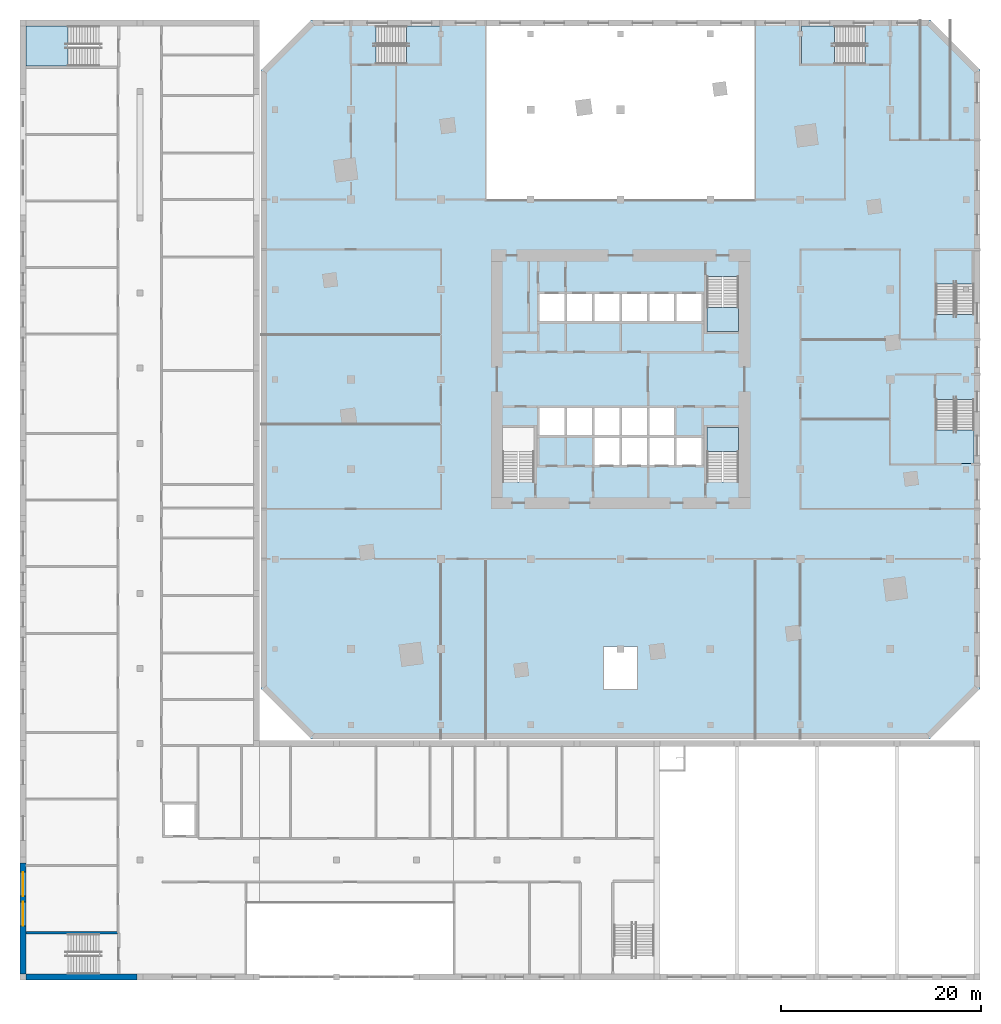
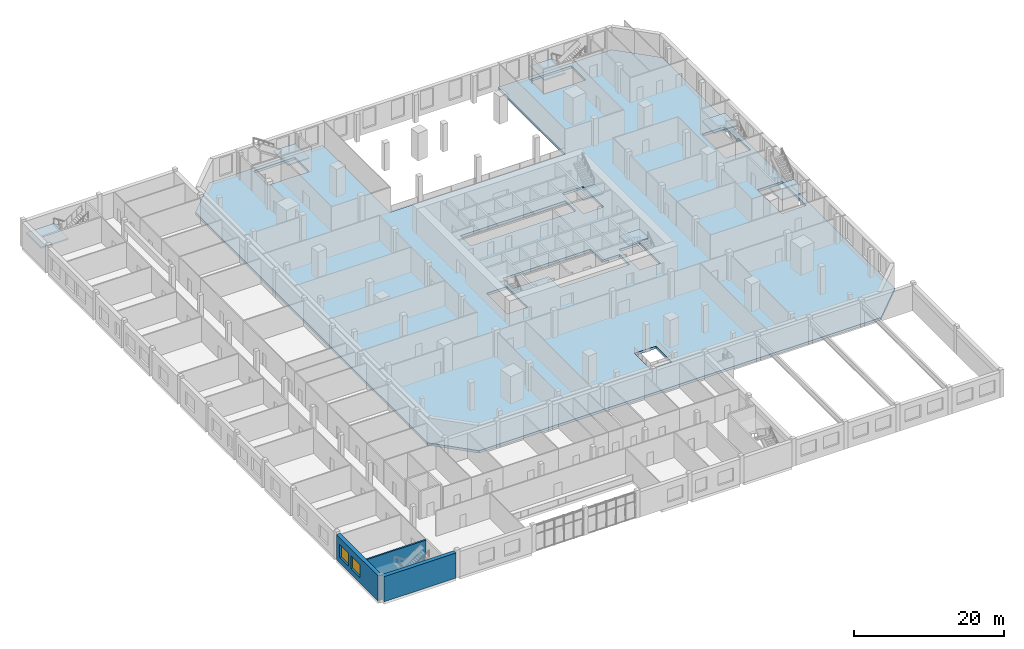
# One storey, part 8 of 27: 8 slabs, 3 walls, 2 windows, 2 openings, 7 elements without a shape of their own.
"""IFC4 building model written with IfcOpenShell, lengths in metres."""

from ifc_helpers import new_model, si_unit, direction, frame, frame_2d, origin, place, context, subcontext, project, spatial, polyline, rectangle, outline, extrude, material, layer, layer_set, type_object, element, fill, aggregate, save


model = new_model("IFC4")

# Units and contexts
model_context = context("Model", 3, precision=1e-05, world=origin(), true_north=direction((0.0, 1.0)))
body_context = subcontext(model_context, "Body", "Model", "MODEL_VIEW")
ifc_project = project(units=[si_unit("LENGTHUNIT", "METRE"), si_unit("AREAUNIT", "SQUARE_METRE"), si_unit("VOLUMEUNIT", "CUBIC_METRE"), si_unit("PLANEANGLEUNIT", "RADIAN"), si_unit("MASSUNIT", "GRAM", prefix="KILO")], contexts=[model_context])

# Site, building, storey
site_placement = place(None, origin())
site = spatial("IfcSite", under=ifc_project, at=site_placement, CompositionType="ELEMENT")
building_placement = place(site_placement, origin())
building = spatial("IfcBuilding", under=site, at=building_placement, Name="Dilmun Exchange Tower", CompositionType="ELEMENT")
storey_placement = place(building_placement, frame((0.0, 0.0, 4.5)))
storey = spatial("IfcBuildingStorey", under=building, at=storey_placement, Name="L01", CompositionType="ELEMENT", Elevation=4.5)

# Stair, slab
ifc_material_1 = material(Name="Concrete C40/50", Category="concrete")
stair_type_1 = type_object("IfcStairType", Name="Exit stair 1500 half-turn", PredefinedType="HALF_TURN_STAIR", material=ifc_material_1)
stair_1_placement = place(storey_placement, origin())
stair_1 = element("IfcStair", 1, at=stair_1_placement, inside=storey, type_object=stair_type_1, Name="L01 Protected exit stair ST1", PredefinedType="HALF_TURN_STAIR")
ifc_layer_1 = layer(ifc_material_1, 0.199951171875)
ifc_layer_set_1 = layer_set([ifc_layer_1], Name="Concrete C40/50")
slab_type_1 = type_object("IfcSlabType", Name="Exit stair landing 200", PredefinedType="LANDING", material=ifc_layer_set_1)
slab_1_placement = place(storey_placement, frame((0.0, 0.0, 2.050048828125)))
slab_1 = element("IfcSlab", 2, at=slab_1_placement, type_object=slab_type_1, Name="ST1 landing 1", PredefinedType="LANDING", context=body_context, shape_type="SweptSolid", body=[
    extrude(outline(polyline([(8.64990234375, 7.219970703125), (8.64990234375, 4.800048828125), (11.800048828125, 4.800048828125), (11.800048828125, 7.219970703125), (8.64990234375, 7.219970703125)])), origin(), (0.0, 0.0, 1.0), 0.199951171875),
])
aggregate(stair_1, [slab_1])

stair_2_placement = place(storey_placement, origin())
stair_2 = element("IfcStair", 3, at=stair_2_placement, inside=storey, type_object=stair_type_1, Name="L01 Protected exit stair ST3", PredefinedType="HALF_TURN_STAIR")
slab_2_placement = place(storey_placement, frame((0.0, 0.0, 2.050048828125)))
slab_2 = element("IfcSlab", 4, at=slab_2_placement, type_object=slab_type_1, Name="ST3 landing 1", PredefinedType="LANDING", context=body_context, shape_type="SweptSolid", body=[
    extrude(outline(polyline([(11.800048828125, -7.219970703125), (11.800048828125, -4.800048828125), (8.64990234375, -4.800048828125), (8.64990234375, -7.219970703125), (11.800048828125, -7.219970703125)])), origin(), (0.0, 0.0, 1.0), 0.199951171875),
])
aggregate(stair_2, [slab_2])

stair_type_2 = type_object("IfcStairType", Name="Podium exit stair 1500", PredefinedType="HALF_TURN_STAIR", material=ifc_material_1)
stair_3_placement = place(storey_placement, origin())
stair_3 = element("IfcStair", 5, at=stair_3_placement, inside=storey, type_object=stair_type_2, Name="L01 Podium exit stair PS1", PredefinedType="HALF_TURN_STAIR")
ifc_layer_2 = layer(ifc_material_1, 0.199951171875)
ifc_layer_set_2 = layer_set([ifc_layer_2], Name="Concrete C40/50")
slab_type_2 = type_object("IfcSlabType", Name="Podium stair landing 200", PredefinedType="LANDING", material=ifc_layer_set_2)
slab_3_placement = place(storey_placement, frame((0.0, 0.0, 2.050048828125)))
slab_3 = element("IfcSlab", 6, at=slab_3_placement, type_object=slab_type_2, Name="PS1 landing 1", PredefinedType="LANDING", context=body_context, shape_type="SweptSolid", body=[
    extrude(outline(polyline([(-21.419921875, 31.60009765625), (-18.10498046875, 31.60009765625), (-18.10498046875, 35.39794921875), (-21.419921875, 35.39794921875), (-21.419921875, 31.60009765625)])), origin(), (0.0, 0.0, 1.0), 0.199951171875),
])
aggregate(stair_3, [slab_3])

stair_4_placement = place(storey_placement, origin())
stair_4 = element("IfcStair", 7, at=stair_4_placement, inside=storey, type_object=stair_type_2, Name="L01 Podium exit stair PS2", PredefinedType="HALF_TURN_STAIR")
slab_4_placement = place(storey_placement, frame((0.0, 0.0, 2.050048828125)))
slab_4 = element("IfcSlab", 8, at=slab_4_placement, type_object=slab_type_2, Name="PS2 landing 1", PredefinedType="LANDING", context=body_context, shape_type="SweptSolid", body=[
    extrude(outline(polyline([(21.419921875, 35.39794921875), (18.10498046875, 35.39794921875), (18.10498046875, 31.60009765625), (21.419921875, 31.60009765625), (21.419921875, 35.39794921875)])), origin(), (0.0, 0.0, 1.0), 0.199951171875),
])
aggregate(stair_4, [slab_4])

stair_5_placement = place(storey_placement, origin())
stair_5 = element("IfcStair", 9, at=stair_5_placement, inside=storey, type_object=stair_type_2, Name="L01 Podium exit stair PS3", PredefinedType="HALF_TURN_STAIR")
slab_5_placement = place(storey_placement, frame((0.0, 0.0, 2.050048828125)))
slab_5 = element("IfcSlab", 10, at=slab_5_placement, type_object=slab_type_2, Name="PS3 landing 1", PredefinedType="LANDING", context=body_context, shape_type="SweptSolid", body=[
    extrude(outline(polyline([(31.60009765625, -5.080078125), (31.60009765625, -8.39501953125), (35.39794921875, -8.39501953125), (35.39794921875, -5.080078125), (31.60009765625, -5.080078125)])), origin(), (0.0, 0.0, 1.0), 0.199951171875),
])
aggregate(stair_5, [slab_5])

stair_6_placement = place(storey_placement, origin())
stair_6 = element("IfcStair", 11, at=stair_6_placement, inside=storey, type_object=stair_type_2, Name="L01 Podium exit stair PS4", PredefinedType="HALF_TURN_STAIR")
slab_6_placement = place(storey_placement, frame((0.0, 0.0, 2.050048828125)))
slab_6 = element("IfcSlab", 12, at=slab_6_placement, type_object=slab_type_2, Name="PS4 landing 1", PredefinedType="LANDING", context=body_context, shape_type="SweptSolid", body=[
    extrude(outline(polyline([(35.197998046875, 9.580078125), (35.197998046875, 12.89501953125), (31.60009765625, 12.89501953125), (31.60009765625, 9.580078125), (35.197998046875, 9.580078125)])), origin(), (0.0, 0.0, 1.0), 0.199951171875),
])
aggregate(stair_6, [slab_6])

# Slab
ifc_layer_3 = layer(ifc_material_1, 0.39990234375)
ifc_layer_set_3 = layer_set([ifc_layer_3], Name="Concrete C40/50")
slab_type_3 = type_object("IfcSlabType", Name="RC floor slab 400", PredefinedType="FLOOR", material=ifc_layer_set_3)
slab_7_placement = place(storey_placement, frame((0.0, 0.0, -0.39990234375)))
element("IfcSlab", 13, at=slab_7_placement, inside=storey, type_object=slab_type_3, Name="Floor slab", PredefinedType="FLOOR", context=body_context, shape_type="SweptSolid", body=[
    extrude(outline(polyline([(31.0, 36.0), (36.0, 31.0), (36.0, -31.0), (31.0, -36.0), (-31.0, -36.0), (-36.0, -31.0), (-36.0, 31.0), (-31.0, 36.0), (-13.5, 36.0), (-13.5, 18.0), (13.5, 18.0), (13.5, 36.0), (31.0, 36.0)]), holes=[polyline([(-1.64990234375, -26.7548828125), (-1.64990234375, -31.0), (1.64990234375, -31.0), (1.64990234375, -26.7548828125), (-1.64990234375, -26.7548828125)]), polyline([(-8.64990234375, -10.294921875), (-8.64990234375, -4.800048828125), (-11.800048828125, -4.800048828125), (-11.800048828125, -10.294921875), (-8.64990234375, -10.294921875)]), polyline([(5.375, -2.85009765625), (-8.125, -2.85009765625), (-8.125, -5.550048828125), (-2.625, -5.550048828125), (-2.625, -8.550048828125), (8.125, -8.550048828125), (8.125, -5.85009765625), (5.375, -5.85009765625), (5.375, -2.85009765625)]), polyline([(-8.125, 8.550048828125), (-8.125, 5.85009765625), (8.125, 5.85009765625), (8.125, 8.550048828125), (-8.125, 8.550048828125)]), polyline([(-18.10498046875, 35.39794921875), (-24.4951171875, 35.39794921875), (-24.4951171875, 31.60009765625), (-18.10498046875, 31.60009765625), (-18.10498046875, 35.39794921875)]), polyline([(8.64990234375, -10.294921875), (11.800048828125, -10.294921875), (11.800048828125, -4.800048828125), (8.64990234375, -4.800048828125), (8.64990234375, -10.294921875)]), polyline([(31.60009765625, -8.39501953125), (35.39794921875, -8.39501953125), (35.39794921875, -2.0048828125), (31.60009765625, -2.0048828125), (31.60009765625, -8.39501953125)]), polyline([(8.64990234375, 10.294921875), (8.64990234375, 4.800048828125), (11.800048828125, 4.800048828125), (11.800048828125, 10.294921875), (8.64990234375, 10.294921875)]), polyline([(35.39794921875, 12.889892578125), (35.39794921875, 12.89501953125), (31.60009765625, 12.89501953125), (31.60009765625, 6.5048828125), (35.39794921875, 6.5048828125), (35.39794921875, 9.58056640625), (35.097900390625, 9.58056640625), (35.097900390625, 12.889892578125), (35.39794921875, 12.889892578125)]), polyline([(18.10498046875, 35.39794921875), (18.10498046875, 31.60009765625), (24.4951171875, 31.60009765625), (24.4951171875, 35.39794921875), (18.10498046875, 35.39794921875)])]), origin(), (0.0, 0.0, 1.0), 0.39990234375),
])

# Stair, slab
stair_type_3 = type_object("IfcStairType", Name="School exit stair 1850 wide", PredefinedType="HALF_TURN_STAIR", material=ifc_material_1)
stair_7_placement = place(storey_placement, origin())
stair_7 = element("IfcStair", 14, at=stair_7_placement, inside=storey, type_object=stair_type_3, Name="L01 Stair S1", PredefinedType="HALF_TURN_STAIR")
ifc_layer_4 = layer(ifc_material_1, 0.199951171875)
ifc_layer_set_4 = layer_set([ifc_layer_4], Name="Concrete C40/50")
slab_type_4 = type_object("IfcSlabType", Name="School stair landing 200", PredefinedType="LANDING", material=ifc_layer_set_4)
slab_8_placement = place(storey_placement, frame((0.0, 0.0, 2.050048828125)))
slab_8 = element("IfcSlab", 15, at=slab_8_placement, type_object=slab_type_4, Name="SCH-S1 landing 1", PredefinedType="LANDING", context=body_context, shape_type="SweptSolid", body=[
    extrude(outline(polyline([(-55.330078125, 35.39990234375), (-59.550048828125, 35.39990234375), (-59.550048828125, 31.39990234375), (-55.330078125, 31.39990234375), (-55.330078125, 35.39990234375)])), origin(), (0.0, 0.0, 1.0), 0.199951171875),
])
aggregate(stair_7, [slab_8])

# Wall, openings, windows
ifc_material_2 = material(Name="Precast concrete C40/50", Category="concrete")
ifc_layer_5 = layer(ifc_material_2, 0.60009765625)
ifc_layer_set_5 = layer_set([ifc_layer_5], Name="Precast concrete C40/50")
wall_type_1 = type_object("IfcWallType", Name="School external wall 600 precast C40/50", PredefinedType="STANDARD", material=ifc_layer_set_5)
wall_1_placement = place(storey_placement, frame((-59.85009765625, -59.550048828125, 0.0), z_axis=(0.0, 0.0, 1.0), x_axis=(0.0, 1.0, 0.0)))
wall_1 = element("IfcWall", 16, at=wall_1_placement, inside=storey, type_object=wall_type_1, Name="School external wall", PredefinedType="STANDARD", context=body_context, shape_type="SweptSolid", body=[
    extrude(rectangle(XDim=11.10009765625, YDim=0.60009765625, at=frame_2d((5.550048828125, 0.0))), origin(), (0.0, 0.0, 1.0), 4.10009765625),
])
opening_1_placement = place(wall_1_placement, frame((4.81591796875, 0.0, 0.89990234375)))
opening_1 = element("IfcOpeningElement", 17, at=opening_1_placement, cuts=wall_1, Name="Opening SCH-W24", PredefinedType="OPENING", context=body_context, shape_type="SweptSolid", body=[
    extrude(rectangle(XDim=2.39990234375, YDim=2.10009765625, at=frame_2d((1.199951171875, 1.050048828125))), frame((0.0, 0.31005859375, 0.0), z_axis=(0.0, -1.0, 0.0), x_axis=(1.0, 0.0, 0.0)), (0.0, 0.0, 1.0), 0.6201171875),
])
opening_2_placement = place(wall_1_placement, frame((7.807373046875, 0.0, 0.89990234375)))
opening_2 = element("IfcOpeningElement", 18, at=opening_2_placement, cuts=wall_1, Name="Opening SCH-W24", PredefinedType="OPENING", context=body_context, shape_type="SweptSolid", body=[
    extrude(rectangle(XDim=2.39990234375, YDim=2.10009765625, at=frame_2d((1.199951171875, 1.050048828125))), frame((0.0, 0.31005859375, 0.0), z_axis=(0.0, -1.0, 0.0), x_axis=(1.0, 0.0, 0.0)), (0.0, 0.0, 1.0), 0.6201171875),
])
ifc_material_3 = material(Name="Clear low-emissivity glass in aluminium frame", Category="aluminium")
window_type = type_object("IfcWindowType", Name="School window 2400 x 2100", PartitioningType="DOUBLE_PANEL_VERTICAL", PredefinedType="WINDOW", material=ifc_material_3)
window_1_placement = place(opening_1_placement, origin())
window_1 = element("IfcWindow", 19, at=window_1_placement, inside=storey, type_object=window_type, Name="School window", OverallHeight=2.10009765625, OverallWidth=2.39990234375, PartitioningType="SINGLE_PANEL", PredefinedType="WINDOW", context=body_context, shape_type="SweptSolid", body=[
    extrude(rectangle(XDim=2.39990234375, YDim=2.10009765625, at=frame_2d((1.199951171875, 1.050048828125))), frame((0.0, 0.030029296875, 0.0), z_axis=(0.0, -1.0, 0.0), x_axis=(1.0, 0.0, 0.0)), (0.0, 0.0, 1.0), 0.06005859375),
])
fill(opening_1, window_1)
window_2_placement = place(opening_2_placement, origin())
window_2 = element("IfcWindow", 20, at=window_2_placement, inside=storey, type_object=window_type, Name="School window", OverallHeight=2.10009765625, OverallWidth=2.39990234375, PartitioningType="SINGLE_PANEL", PredefinedType="WINDOW", context=body_context, shape_type="SweptSolid", body=[
    extrude(rectangle(XDim=2.39990234375, YDim=2.10009765625, at=frame_2d((1.199951171875, 1.050048828125))), frame((0.0, 0.030029296875, 0.0), z_axis=(0.0, -1.0, 0.0), x_axis=(1.0, 0.0, 0.0)), (0.0, 0.0, 1.0), 0.06005859375),
])
fill(opening_2, window_2)

# Walls
wall_2_placement = place(storey_placement, frame((-48.449951171875, -59.85009765625, 0.0), z_axis=(0.0, 0.0, 1.0), x_axis=(-1.0, 0.0, 0.0)))
element("IfcWall", 21, at=wall_2_placement, inside=storey, type_object=wall_type_1, Name="School external wall", PredefinedType="STANDARD", context=body_context, shape_type="SweptSolid", body=[
    extrude(rectangle(XDim=11.10009765625, YDim=0.60009765625, at=frame_2d((5.550048828125, 0.0))), origin(), (0.0, 0.0, 1.0), 4.10009765625),
])
ifc_layer_6 = layer(ifc_material_1, 0.25)
ifc_layer_set_6 = layer_set([ifc_layer_6], Name="Concrete C40/50")
wall_type_2 = type_object("IfcWallType", Name="School stair and lift wall 250 C40/50", PredefinedType="SHEAR", material=ifc_layer_set_6)
wall_3_placement = place(storey_placement, frame((-59.550048828125, -55.425048828125, 0.0), z_axis=(0.0, 0.0, 1.0), x_axis=(1.0, 0.0, 0.0)))
element("IfcWall", 22, at=wall_3_placement, inside=storey, type_object=wall_type_2, Name="School stair or lift wall", PredefinedType="SHEAR", context=body_context, shape_type="SweptSolid", body=[
    extrude(rectangle(XDim=9.150146484375, YDim=0.25, at=frame_2d((4.5751953125, 0.0))), origin(), (0.0, 0.0, 1.0), 4.10009765625),
])

save(model, "model.ifc")
